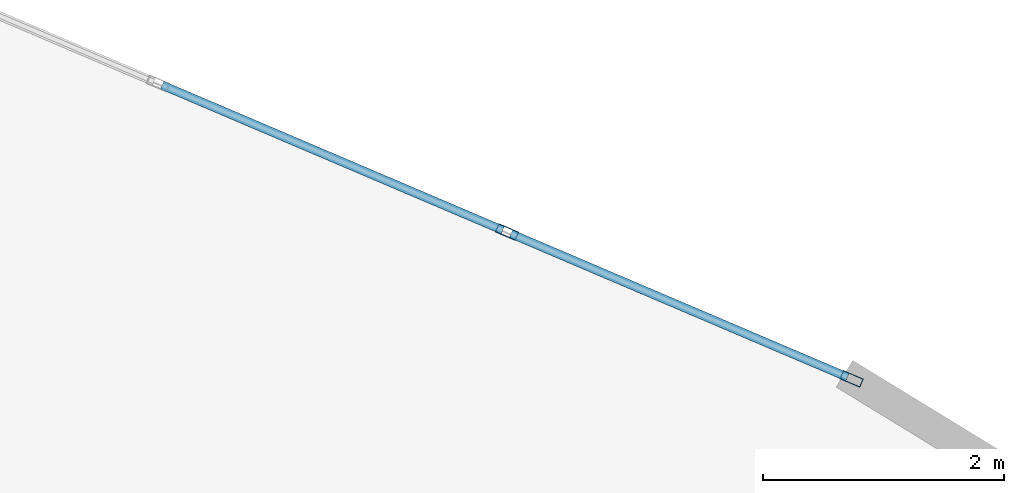
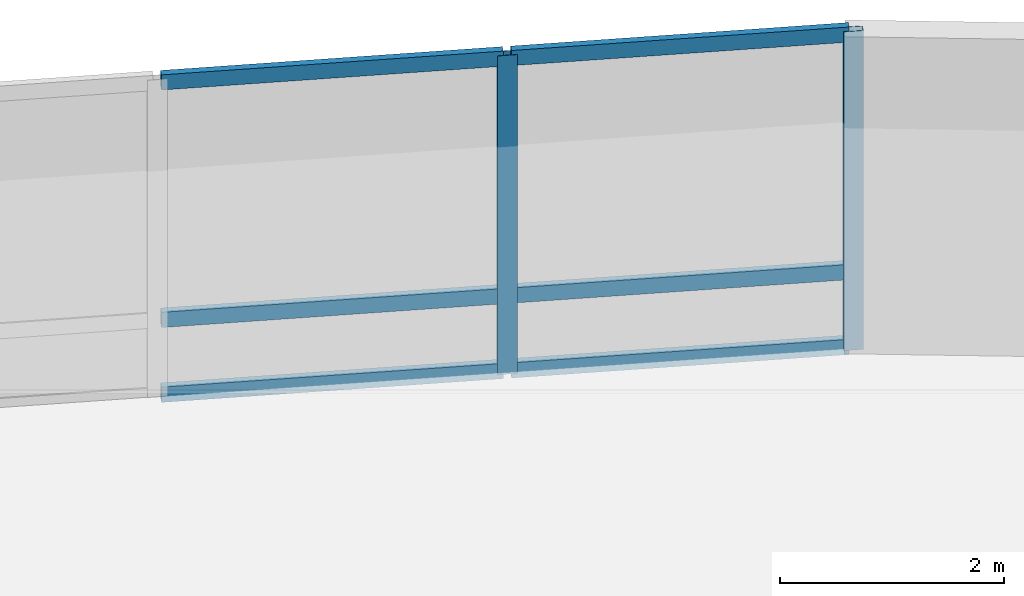
# One storey, part 13 of 20: 8 members, 1 element without a shape of its own.
"""IFC4 building model written with IfcOpenShell, lengths in metres."""

from ifc_helpers import new_model, si_unit, direction, frame, origin, origin_2d, place, context, subcontext, project, spatial, hollow_rectangle, extrude, material, layer, layer_set, material_profile, profile_set, type_object, element, aggregate, save


model = new_model("IFC4")

# Units and contexts
model_context = context("Model", 3, precision=1e-05, world=origin(), true_north=direction((0.0, 1.0)))
body_context = subcontext(model_context, "Body", "Model", "MODEL_VIEW")
ifc_project = project(units=[si_unit("LENGTHUNIT", "METRE"), si_unit("AREAUNIT", "SQUARE_METRE"), si_unit("VOLUMEUNIT", "CUBIC_METRE"), si_unit("PLANEANGLEUNIT", "RADIAN"), si_unit("MASSUNIT", "GRAM", prefix="KILO")], contexts=[model_context])

# Site, building, storey
site_placement = place(None, origin())
site = spatial("IfcSite", under=ifc_project, at=site_placement, CompositionType="ELEMENT")
building_placement = place(site_placement, origin())
building = spatial("IfcBuilding", under=site, at=building_placement, Name="Menara Vayukalpa", CompositionType="ELEMENT")
storey_placement = place(building_placement, frame((0.0, 0.0, 57.360107421875)))
storey = spatial("IfcBuildingStorey", under=building, at=storey_placement, Name="L13", CompositionType="ELEMENT", Elevation=57.360107421875)

# Curtain wall, members
ifc_material_1 = material(Name="Anodised Terracotta Aluminium Alloy 6063-T6", Category="masonry")
ifc_layer = layer(ifc_material_1, 0.179931640625)
ifc_layer_set = layer_set([ifc_layer], Name="Anodised Terracotta Aluminium Alloy 6063-T6")
curtain_wall_type = type_object("IfcCurtainWallType", Name="CW-CW4", PredefinedType="USERDEFINED", material=ifc_layer_set)
curtain_wall_placement = place(storey_placement, origin())
curtain_wall = element("IfcCurtainWall", 1, at=curtain_wall_placement, inside=storey, type_object=curtain_wall_type, Name="L13 Sky Bar Cantilever Glazed Curtain Wall CW4 04", ObjectType="UNITISED", PredefinedType="USERDEFINED")
ifc_material_2 = material(Name="Anodised Terracotta Aluminium Alloy 6063-T6", Category="masonry")
ifc_material_profile_1 = material_profile(ifc_material_2, hollow_rectangle(XDim=0.074951171875, YDim=0.179931640625, WallThickness=0.00390625, at=origin_2d()), Name="ALU 75x180x4")
ifc_profile_set_1 = profile_set([ifc_material_profile_1], Name="Anodised Terracotta Aluminium Alloy 6063-T6")
member_type_1 = type_object("IfcMemberType", Name="CWM-CW4", PredefinedType="MULLION", material=ifc_profile_set_1)
member_1_placement = place(storey_placement, frame((47.06298828125, 29.523193359375, 0.0), z_axis=(0.0, 0.0, 1.0), x_axis=(-0.392008132718, -0.919961751315, 0.0)))
member_1 = element("IfcMember", 2, at=member_1_placement, type_object=member_type_1, Name="CW4 mullion 1", PredefinedType="MULLION", context=body_context, shape_type="SweptSolid", body=[
    extrude(hollow_rectangle(XDim=0.074951171875, YDim=0.179931640625, WallThickness=0.00390625, at=origin_2d()), origin(), (0.0, 0.0, 1.0), 3.469970703125),
])
member_2_placement = place(storey_placement, frame((44.205078125, 30.740966796875, 0.0), z_axis=(0.0, 0.0, 1.0), x_axis=(-0.392008132718, -0.919961751315, 0.0)))
member_2 = element("IfcMember", 3, at=member_2_placement, type_object=member_type_1, Name="CW4 mullion 2", PredefinedType="MULLION", context=body_context, shape_type="SweptSolid", body=[
    extrude(hollow_rectangle(XDim=0.074951171875, YDim=0.179931640625, WallThickness=0.00390625, at=origin_2d()), origin(), (0.0, 0.0, 1.0), 3.469970703125),
])
ifc_material_3 = material(Name="Anodised Terracotta Aluminium Alloy 6063-T6", Category="masonry")
ifc_material_profile_2 = material_profile(ifc_material_3, hollow_rectangle(XDim=0.070068359375, YDim=0.1650390625, WallThickness=0.00390625, at=origin_2d()), Name="ALU 70x165x4")
ifc_profile_set_2 = profile_set([ifc_material_profile_2], Name="Anodised Terracotta Aluminium Alloy 6063-T6")
member_type_2 = type_object("IfcMemberType", Name="CWT-CW4", PredefinedType="USERDEFINED", material=ifc_profile_set_2)
member_3_placement = place(storey_placement, frame((47.028564453125, 29.537841796875, 0.034912109375), z_axis=(-0.919959450087, 0.392013533178, 0.0), x_axis=(-0.392013533178, -0.919959450087, 0.0)))
member_3 = element("IfcMember", 4, at=member_3_placement, type_object=member_type_2, Name="CW4 transom 1.1", ObjectType="TRANSOM", PredefinedType="USERDEFINED", context=body_context, shape_type="SweptSolid", body=[
    extrude(hollow_rectangle(XDim=0.070068359375, YDim=0.1650390625, WallThickness=0.00390625, at=origin_2d()), origin(), (0.0, 0.0, 1.0), 3.03173828125),
])
member_4_placement = place(storey_placement, frame((47.028564453125, 29.537841796875, 0.849853515625), z_axis=(-0.919959450087, 0.392013533178, 0.0), x_axis=(-0.392013533178, -0.919959450087, 0.0)))
member_4 = element("IfcMember", 5, at=member_4_placement, type_object=member_type_2, Name="CW4 transom 1.2", ObjectType="TRANSOM", PredefinedType="USERDEFINED", context=body_context, shape_type="SweptSolid", body=[
    extrude(hollow_rectangle(XDim=0.070068359375, YDim=0.1650390625, WallThickness=0.00390625, at=origin_2d()), origin(), (0.0, 0.0, 1.0), 3.03173828125),
])
member_5_placement = place(storey_placement, frame((47.028564453125, 29.537841796875, 3.434814453125), z_axis=(-0.919959450087, 0.392013533178, 0.0), x_axis=(-0.392013533178, -0.919959450087, 0.0)))
member_5 = element("IfcMember", 6, at=member_5_placement, type_object=member_type_2, Name="CW4 transom 1.3", ObjectType="TRANSOM", PredefinedType="USERDEFINED", context=body_context, shape_type="SweptSolid", body=[
    extrude(hollow_rectangle(XDim=0.070068359375, YDim=0.1650390625, WallThickness=0.00390625, at=origin_2d()), origin(), (0.0, 0.0, 1.0), 3.03173828125),
])
member_6_placement = place(storey_placement, frame((44.170654296875, 30.755615234375, 0.034912109375), z_axis=(-0.919961830658, 0.392007946518, 0.0), x_axis=(-0.392007946518, -0.919961830658, 0.0)))
member_6 = element("IfcMember", 7, at=member_6_placement, type_object=member_type_2, Name="CW4 transom 2.1", ObjectType="TRANSOM", PredefinedType="USERDEFINED", context=body_context, shape_type="SweptSolid", body=[
    extrude(hollow_rectangle(XDim=0.070068359375, YDim=0.1650390625, WallThickness=0.00390625, at=origin_2d()), origin(), (0.0, 0.0, 1.0), 3.069091796875),
])
member_7_placement = place(storey_placement, frame((44.170654296875, 30.755615234375, 0.849853515625), z_axis=(-0.919961830658, 0.392007946518, 0.0), x_axis=(-0.392007946518, -0.919961830658, 0.0)))
member_7 = element("IfcMember", 8, at=member_7_placement, type_object=member_type_2, Name="CW4 transom 2.2", ObjectType="TRANSOM", PredefinedType="USERDEFINED", context=body_context, shape_type="SweptSolid", body=[
    extrude(hollow_rectangle(XDim=0.070068359375, YDim=0.1650390625, WallThickness=0.00390625, at=origin_2d()), origin(), (0.0, 0.0, 1.0), 3.069091796875),
])
member_8_placement = place(storey_placement, frame((44.170654296875, 30.755615234375, 3.434814453125), z_axis=(-0.919961830658, 0.392007946518, 0.0), x_axis=(-0.392007946518, -0.919961830658, 0.0)))
member_8 = element("IfcMember", 9, at=member_8_placement, type_object=member_type_2, Name="CW4 transom 2.3", ObjectType="TRANSOM", PredefinedType="USERDEFINED", context=body_context, shape_type="SweptSolid", body=[
    extrude(hollow_rectangle(XDim=0.070068359375, YDim=0.1650390625, WallThickness=0.00390625, at=origin_2d()), origin(), (0.0, 0.0, 1.0), 3.069091796875),
])
aggregate(curtain_wall, [member_1, member_2, member_3, member_4, member_5, member_6, member_7, member_8])

save(model, "model.ifc")
